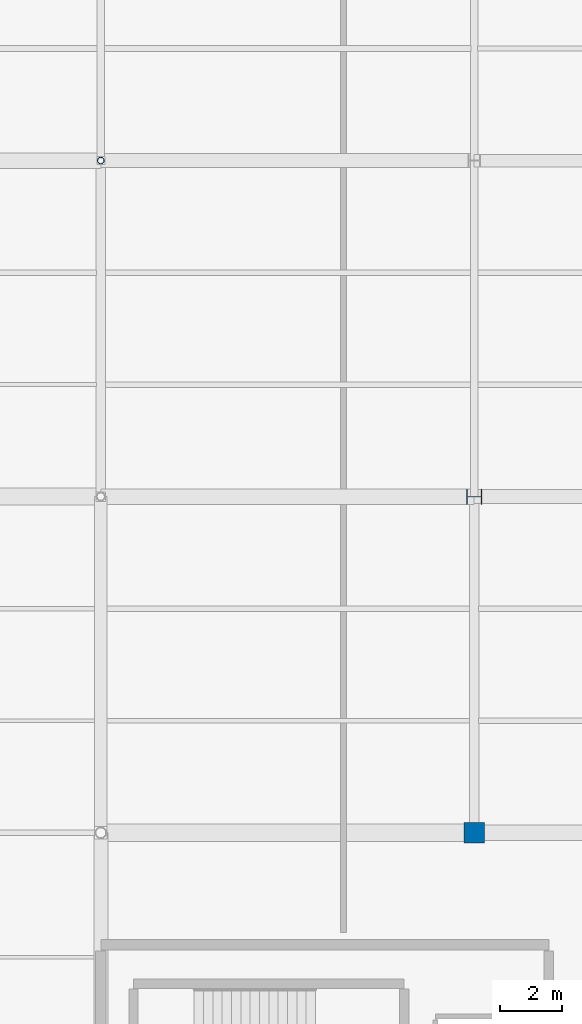
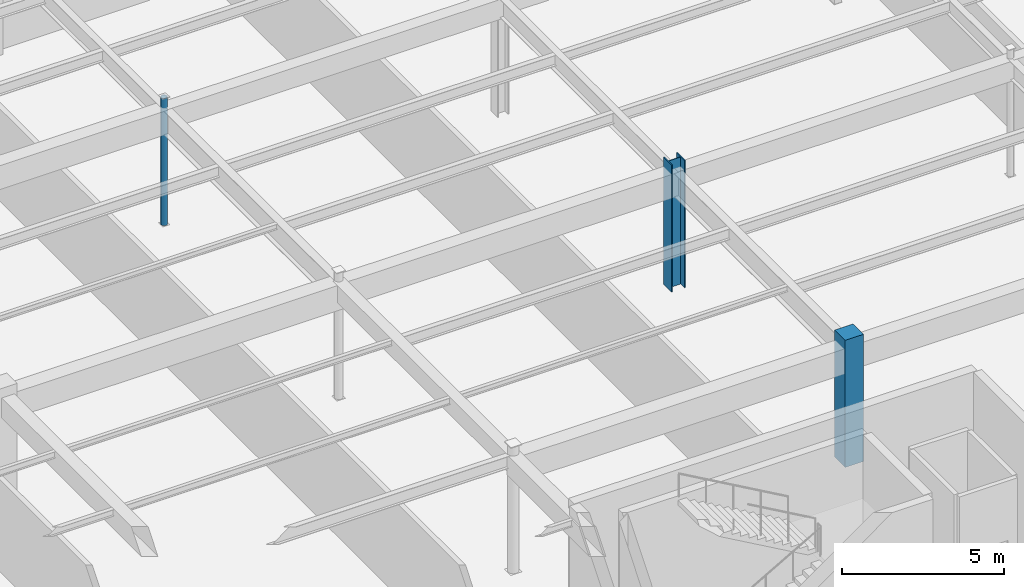
# One storey, part 26 of 199: 3 columns.
"""IFC4 building model written with IfcOpenShell, lengths in metres."""

from ifc_helpers import new_model, si_unit, direction, frame, origin, origin_2d, place, context, subcontext, project, spatial, rectangle, hollow_circle, i_section, extrude, material, material_profile, profile_set, type_object, element, save


model = new_model("IFC4")

# Units and contexts
model_context = context("Model", 3, precision=1e-05, world=origin(), true_north=direction((0.0, 1.0)))
body_context = subcontext(model_context, "Body", "Model", "MODEL_VIEW")
ifc_project = project(units=[si_unit("LENGTHUNIT", "METRE"), si_unit("AREAUNIT", "SQUARE_METRE"), si_unit("VOLUMEUNIT", "CUBIC_METRE"), si_unit("PLANEANGLEUNIT", "RADIAN"), si_unit("MASSUNIT", "GRAM", prefix="KILO")], contexts=[model_context])

# Site, building, storey
site_placement = place(None, origin())
site = spatial("IfcSite", under=ifc_project, at=site_placement, CompositionType="ELEMENT")
building_placement = place(site_placement, origin())
building = spatial("IfcBuilding", under=site, at=building_placement, Name="Tarnwether General Hospital", CompositionType="ELEMENT")
storey_placement = place(building_placement, origin())
storey = spatial("IfcBuildingStorey", under=building, at=storey_placement, Name="L00", CompositionType="ELEMENT", Elevation=0.0)

# Columns
ifc_material_1 = material(Name="Steel Grade 350 (350 MPa)", Category="steel")
ifc_material_profile_1 = material_profile(ifc_material_1, i_section(OverallWidth=0.5, OverallDepth=0.5, WebThickness=0.02197265625, FlangeThickness=0.035888671875, at=origin_2d()), Name="500WC380")
ifc_profile_set_1 = profile_set([ifc_material_profile_1], Name="Steel Grade 350 (350 MPa)")
column_type_1 = type_object("IfcColumnType", Name="COL-01", PredefinedType="COLUMN", material=ifc_profile_set_1)
column_1_placement = place(storey_placement, frame((36.0, 104.39990234375, 0.0), z_axis=(0.0, 0.0, 1.0), x_axis=(0.0, 1.0, 0.0)))
element("IfcColumn", 1, at=column_1_placement, inside=storey, type_object=column_type_1, Name="Column COLG-L00-3600_10440", PredefinedType="COLUMN", context=body_context, shape_type="SweptSolid", body=[
    extrude(i_section(OverallWidth=0.5, OverallDepth=0.5, WebThickness=0.02197265625, FlangeThickness=0.035888671875, at=origin_2d()), origin(), (0.0, 0.0, 1.0), 4.800048828125),
])
ifc_material_2 = material(Name="Steel Grade C350L0 (350 MPa)", Category="steel")
ifc_material_profile_2 = material_profile(ifc_material_2, hollow_circle(Radius=0.109619140625, WallThickness=0.010009765625, at=origin_2d()), Name="CHS219.1x10.0")
ifc_profile_set_2 = profile_set([ifc_material_profile_2], Name="Steel Grade C350L0 (350 MPa)")
column_type_2 = type_object("IfcColumnType", Name="COL-13", PredefinedType="COLUMN", material=ifc_profile_set_2)
column_2_placement = place(storey_placement, frame((24.0, 115.199951171875, 0.0), z_axis=(0.0, 0.0, 1.0), x_axis=(1.0, 0.0, 0.0)))
element("IfcColumn", 2, at=column_2_placement, inside=storey, type_object=column_type_2, Name="Column COLG-L00-2400_11520", PredefinedType="COLUMN", context=body_context, shape_type="SweptSolid", body=[
    extrude(hollow_circle(Radius=0.109619140625, WallThickness=0.010009765625, at=origin_2d()), origin(), (0.0, 0.0, 1.0), 4.800048828125),
])
ifc_material_3 = material(Name="Concrete 50 MPa", Category="concrete")
ifc_material_profile_3 = material_profile(ifc_material_3, rectangle(XDim=0.64990234375, YDim=0.64990234375, at=origin_2d()), Name="RC-COL-650x650")
ifc_profile_set_3 = profile_set([ifc_material_profile_3], Name="Concrete 50 MPa")
column_type_3 = type_object("IfcColumnType", Name="COL-35", PredefinedType="COLUMN", material=ifc_profile_set_3)
column_3_placement = place(storey_placement, frame((36.0, 93.60009765625, 0.0), z_axis=(0.0, 0.0, 1.0), x_axis=(0.0, 1.0, 0.0)))
element("IfcColumn", 3, at=column_3_placement, inside=storey, type_object=column_type_3, Name="Column COLG-L00-3600_9360", PredefinedType="COLUMN", context=body_context, shape_type="SweptSolid", body=[
    extrude(rectangle(XDim=0.64990234375, YDim=0.64990234375, at=origin_2d()), origin(), (0.0, 0.0, 1.0), 4.800048828125),
])

save(model, "model.ifc")
